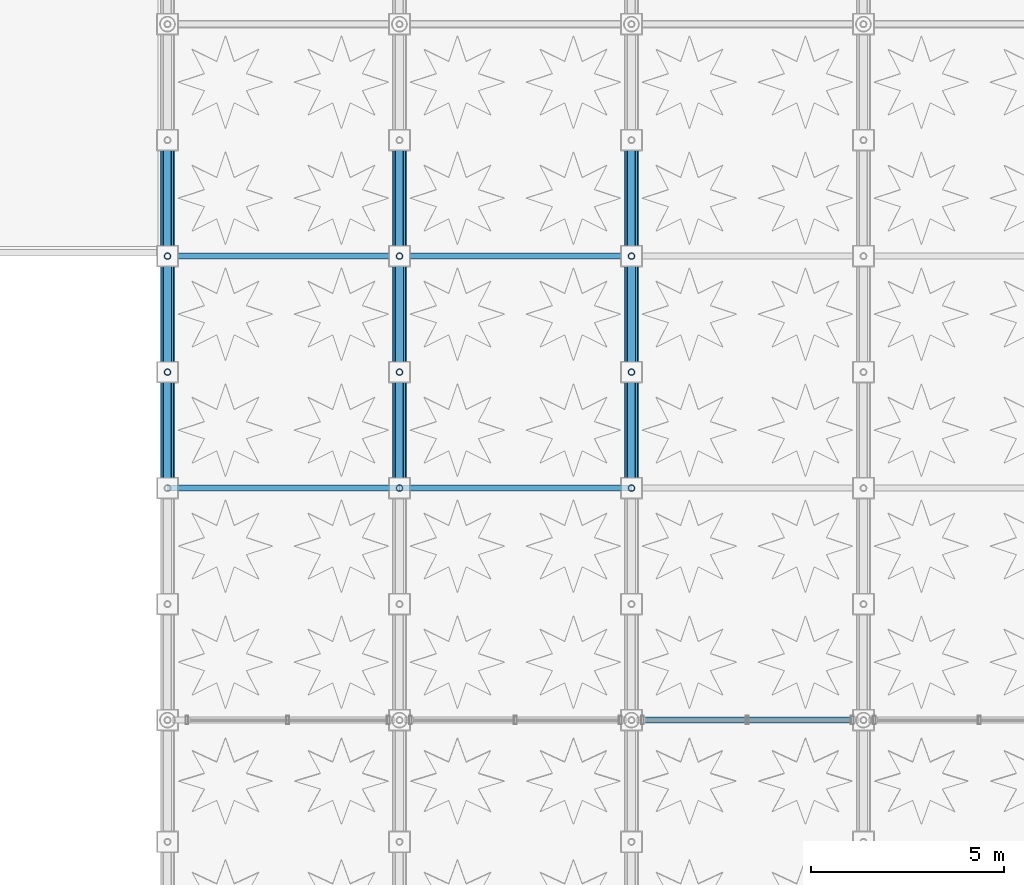
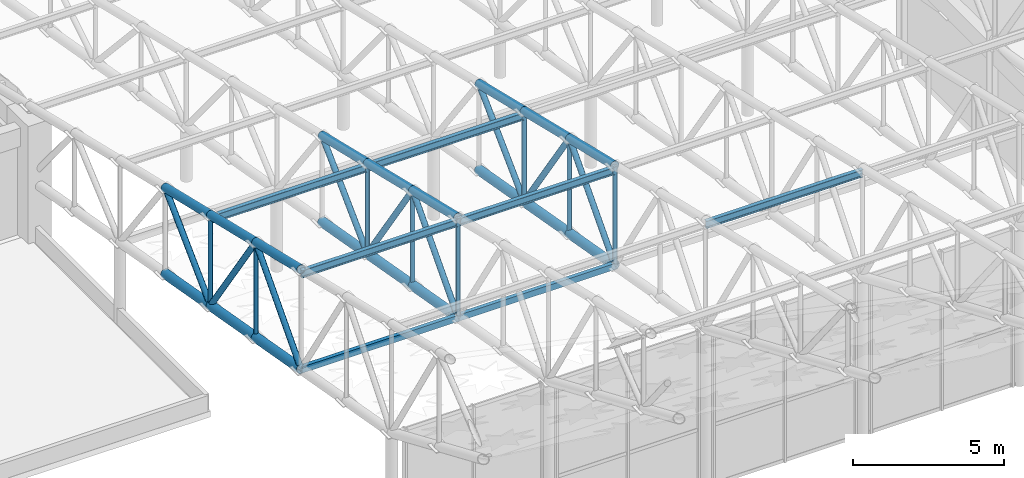
# One storey, part 19 of 123: 37 members, 5 beams.
"""IFC4 building model written with IfcOpenShell, lengths in metres."""

from ifc_helpers import new_model, si_unit, direction, frame, origin, origin_2d, place, context, subcontext, project, spatial, hollow_rectangle, hollow_circle, i_section, extrude, material, material_profile, profile_set, type_object, element, save


model = new_model("IFC4")

# Units and contexts
model_context = context("Model", 3, precision=1e-05, world=origin(), true_north=direction((0.0, 1.0)))
body_context = subcontext(model_context, "Body", "Model", "MODEL_VIEW")
ifc_project = project(units=[si_unit("LENGTHUNIT", "METRE"), si_unit("AREAUNIT", "SQUARE_METRE"), si_unit("VOLUMEUNIT", "CUBIC_METRE"), si_unit("PLANEANGLEUNIT", "RADIAN"), si_unit("MASSUNIT", "GRAM", prefix="KILO"), si_unit("THERMODYNAMICTEMPERATUREUNIT", "KELVIN"), si_unit("POWERUNIT", "WATT")], contexts=[model_context])

# Site, building, storey
site_placement = place(None, origin())
site = spatial("IfcSite", under=ifc_project, at=site_placement, CompositionType="ELEMENT")
building_placement = place(site_placement, origin())
building = spatial("IfcBuilding", under=site, at=building_placement, Name="Phaisarnlok Congress Hotel", CompositionType="ELEMENT")
storey_placement = place(building_placement, frame((0.0, 0.0, 15.0)))
storey = spatial("IfcBuildingStorey", under=building, at=storey_placement, Name="L03", CompositionType="ELEMENT", Elevation=15.0)

# Beams
ifc_material = material(Name="Steel S355", Category="steel")
ifc_material_profile_1 = material_profile(ifc_material, i_section(OverallWidth=0.14990234375, OverallDepth=0.300048828125, WebThickness=0.007080078125, FlangeThickness=0.0107421875, FilletRadius=0.014892578125, at=origin_2d()), Name="IPE 300")
ifc_profile_set_1 = profile_set([ifc_material_profile_1], Name="Steel S355")
beam_type = type_object("IfcBeamType", Name="JS-STL-IPE300", PredefinedType="JOIST", material=ifc_profile_set_1)
for number, where, z_axis, x_axis, name in (
    (1, (66.0, 30.0, 7.766357421875), (1.0, 0.0, 0.0), (0.0, 1.0, 0.0), "South wing roof purlin"),
    (2, (66.0, 24.0, 9.198486328125), (1.0, 0.0, 0.0), (0.0, 1.0, 0.0), "South wing roof purlin"),
    (3, (72.0, 30.0, 7.766357421875), (1.0, 0.0, 0.0), (0.0, 1.0, 0.0), "South wing roof purlin"),
    (4, (72.0, 24.0, 9.198486328125), (1.0, 0.0, 0.0), (0.0, 1.0, 0.0), "South wing roof purlin"),
    (5, (78.0, 18.0, 10.630615234375), (1.0, 0.0, 0.0), (0.0, 1.0, 0.0), "South wing roof purlin"),
):
    element("IfcBeam", number, at=place(storey_placement, frame(where, z_axis=z_axis, x_axis=x_axis)), inside=storey, type_object=beam_type, Name=name, PredefinedType="JOIST", context=body_context, shape_type="SweptSolid", body=[
        extrude(i_section(OverallWidth=0.14990234375, OverallDepth=0.300048828125, WebThickness=0.007080078125, FlangeThickness=0.0107421875, FilletRadius=0.014892578125, at=origin_2d()), origin(), (0.0, 0.0, 1.0), 6.0),
    ])

# Members
ifc_material_profile_2 = material_profile(ifc_material, hollow_circle(Radius=0.084228515625, WallThickness=0.010009765625, at=origin_2d()), Name="CHS 168.3x10")
ifc_profile_set_2 = profile_set([ifc_material_profile_2], Name="Steel S355")
member_type_1 = type_object("IfcMemberType", Name="MEM-BRC-CHS168", PredefinedType="BRACE", material=ifc_profile_set_2)
member_1_placement = place(storey_placement, frame((66.0, 30.0, 4.2666015625), z_axis=(0.0, 0.0, 1.0), x_axis=(1.0, 0.0, 0.0)))
element("IfcMember", 6, at=member_1_placement, inside=storey, type_object=member_type_1, Name="South wing roof truss vertical web", PredefinedType="BRACE", context=body_context, shape_type="SweptSolid", body=[
    extrude(hollow_circle(Radius=0.084228515625, WallThickness=0.010009765625, at=origin_2d()), origin(), (0.0, 0.0, 1.0), 3.661865234375),
])
member_2_placement = place(storey_placement, frame((66.0, 27.0, 4.800048828125), z_axis=(0.0, 0.0, 1.0), x_axis=(1.0, 0.0, 0.0)))
element("IfcMember", 7, at=member_2_placement, inside=storey, type_object=member_type_1, Name="South wing roof truss vertical web", PredefinedType="BRACE", context=body_context, shape_type="SweptSolid", body=[
    extrude(hollow_circle(Radius=0.084228515625, WallThickness=0.010009765625, at=origin_2d()), origin(), (0.0, 0.0, 1.0), 3.844482421875),
])
member_3_placement = place(storey_placement, frame((72.0, 30.0, 4.2666015625), z_axis=(0.0, 0.0, 1.0), x_axis=(1.0, 0.0, 0.0)))
element("IfcMember", 8, at=member_3_placement, inside=storey, type_object=member_type_1, Name="South wing roof truss vertical web", PredefinedType="BRACE", context=body_context, shape_type="SweptSolid", body=[
    extrude(hollow_circle(Radius=0.084228515625, WallThickness=0.010009765625, at=origin_2d()), origin(), (0.0, 0.0, 1.0), 3.661865234375),
])
member_4_placement = place(storey_placement, frame((72.0, 27.0, 4.800048828125), z_axis=(0.0, 0.0, 1.0), x_axis=(1.0, 0.0, 0.0)))
element("IfcMember", 9, at=member_4_placement, inside=storey, type_object=member_type_1, Name="South wing roof truss vertical web", PredefinedType="BRACE", context=body_context, shape_type="SweptSolid", body=[
    extrude(hollow_circle(Radius=0.084228515625, WallThickness=0.010009765625, at=origin_2d()), origin(), (0.0, 0.0, 1.0), 3.844482421875),
])
member_5_placement = place(storey_placement, frame((72.0, 24.0, 5.333251953125), z_axis=(0.0, 0.0, 1.0), x_axis=(1.0, 0.0, 0.0)))
element("IfcMember", 10, at=member_5_placement, inside=storey, type_object=member_type_1, Name="South wing roof truss vertical web", PredefinedType="BRACE", context=body_context, shape_type="SweptSolid", body=[
    extrude(hollow_circle(Radius=0.084228515625, WallThickness=0.010009765625, at=origin_2d()), origin(), (0.0, 0.0, 1.0), 4.02734375),
])
member_6_placement = place(storey_placement, frame((78.0, 30.0, 4.2666015625), z_axis=(0.0, 0.0, 1.0), x_axis=(1.0, 0.0, 0.0)))
element("IfcMember", 11, at=member_6_placement, inside=storey, type_object=member_type_1, Name="South wing roof truss vertical web", PredefinedType="BRACE", context=body_context, shape_type="SweptSolid", body=[
    extrude(hollow_circle(Radius=0.084228515625, WallThickness=0.010009765625, at=origin_2d()), origin(), (0.0, 0.0, 1.0), 3.661865234375),
])
member_7_placement = place(storey_placement, frame((78.0, 27.0, 4.800048828125), z_axis=(0.0, 0.0, 1.0), x_axis=(1.0, 0.0, 0.0)))
element("IfcMember", 12, at=member_7_placement, inside=storey, type_object=member_type_1, Name="South wing roof truss vertical web", PredefinedType="BRACE", context=body_context, shape_type="SweptSolid", body=[
    extrude(hollow_circle(Radius=0.084228515625, WallThickness=0.010009765625, at=origin_2d()), origin(), (0.0, 0.0, 1.0), 3.844482421875),
])
member_8_placement = place(storey_placement, frame((78.0, 24.0, 5.333251953125), z_axis=(0.0, 0.0, 1.0), x_axis=(1.0, 0.0, 0.0)))
element("IfcMember", 13, at=member_8_placement, inside=storey, type_object=member_type_1, Name="South wing roof truss vertical web", PredefinedType="BRACE", context=body_context, shape_type="SweptSolid", body=[
    extrude(hollow_circle(Radius=0.084228515625, WallThickness=0.010009765625, at=origin_2d()), origin(), (0.0, 0.0, 1.0), 4.02734375),
])
ifc_material_profile_3 = material_profile(ifc_material, hollow_circle(Radius=0.109619140625, WallThickness=0.012451171875, at=origin_2d()), Name="CHS 219.1x12.5")
ifc_profile_set_3 = profile_set([ifc_material_profile_3], Name="Steel S355")
member_type_2 = type_object("IfcMemberType", Name="MEM-BRC-CHS219", PredefinedType="BRACE", material=ifc_profile_set_3)
member_9_placement = place(storey_placement, frame((66.0, 30.0, 4.2666015625), z_axis=(0.0, 0.713522801545, 0.700632008743), x_axis=(-1.0, 0.0, 0.0)))
element("IfcMember", 14, at=member_9_placement, inside=storey, type_object=member_type_2, Name="South wing roof truss diagonal brace", PredefinedType="BRACE", context=body_context, shape_type="SweptSolid", body=[
    extrude(hollow_circle(Radius=0.109619140625, WallThickness=0.012451171875, at=origin_2d()), origin(), (0.0, 0.0, 1.0), 4.20458984375),
])
member_10_placement = place(storey_placement, frame((66.0, 30.0, 4.2666015625), z_axis=(0.0, -0.565270860613, 0.824905360718), x_axis=(1.0, 0.0, 0.0)))
element("IfcMember", 15, at=member_10_placement, inside=storey, type_object=member_type_2, Name="South wing roof truss diagonal brace", PredefinedType="BRACE", context=body_context, shape_type="SweptSolid", body=[
    extrude(hollow_circle(Radius=0.109619140625, WallThickness=0.012451171875, at=origin_2d()), origin(), (0.0, 0.0, 1.0), 5.30712890625),
])
member_11_placement = place(storey_placement, frame((66.0, 24.0, 5.333251953125), z_axis=(0.0, 0.671415353237, 0.741081252926), x_axis=(-1.0, 0.0, 0.0)))
element("IfcMember", 16, at=member_11_placement, inside=storey, type_object=member_type_2, Name="South wing roof truss diagonal brace", PredefinedType="BRACE", context=body_context, shape_type="SweptSolid", body=[
    extrude(hollow_circle(Radius=0.109619140625, WallThickness=0.012451171875, at=origin_2d()), origin(), (0.0, 0.0, 1.0), 4.46826171875),
])
member_12_placement = place(storey_placement, frame((72.0, 30.0, 4.2666015625), z_axis=(0.0, 0.713522801545, 0.700632008743), x_axis=(-1.0, 0.0, 0.0)))
element("IfcMember", 17, at=member_12_placement, inside=storey, type_object=member_type_2, Name="South wing roof truss diagonal brace", PredefinedType="BRACE", context=body_context, shape_type="SweptSolid", body=[
    extrude(hollow_circle(Radius=0.109619140625, WallThickness=0.012451171875, at=origin_2d()), origin(), (0.0, 0.0, 1.0), 4.20458984375),
])
member_13_placement = place(storey_placement, frame((72.0, 30.0, 4.2666015625), z_axis=(0.0, -0.565270860613, 0.824905360718), x_axis=(1.0, 0.0, 0.0)))
element("IfcMember", 18, at=member_13_placement, inside=storey, type_object=member_type_2, Name="South wing roof truss diagonal brace", PredefinedType="BRACE", context=body_context, shape_type="SweptSolid", body=[
    extrude(hollow_circle(Radius=0.109619140625, WallThickness=0.012451171875, at=origin_2d()), origin(), (0.0, 0.0, 1.0), 5.30712890625),
])
member_14_placement = place(storey_placement, frame((72.0, 24.0, 5.333251953125), z_axis=(0.0, 0.671415353237, 0.741081252926), x_axis=(-1.0, 0.0, 0.0)))
element("IfcMember", 19, at=member_14_placement, inside=storey, type_object=member_type_2, Name="South wing roof truss diagonal brace", PredefinedType="BRACE", context=body_context, shape_type="SweptSolid", body=[
    extrude(hollow_circle(Radius=0.109619140625, WallThickness=0.012451171875, at=origin_2d()), origin(), (0.0, 0.0, 1.0), 4.46826171875),
])
member_15_placement = place(storey_placement, frame((78.0, 30.0, 4.2666015625), z_axis=(0.0, 0.713522801545, 0.700632008743), x_axis=(-1.0, 0.0, 0.0)))
element("IfcMember", 20, at=member_15_placement, inside=storey, type_object=member_type_2, Name="South wing roof truss diagonal brace", PredefinedType="BRACE", context=body_context, shape_type="SweptSolid", body=[
    extrude(hollow_circle(Radius=0.109619140625, WallThickness=0.012451171875, at=origin_2d()), origin(), (0.0, 0.0, 1.0), 4.20458984375),
])
member_16_placement = place(storey_placement, frame((78.0, 30.0, 4.2666015625), z_axis=(0.0, -0.565270860613, 0.824905360718), x_axis=(1.0, 0.0, 0.0)))
element("IfcMember", 21, at=member_16_placement, inside=storey, type_object=member_type_2, Name="South wing roof truss diagonal brace", PredefinedType="BRACE", context=body_context, shape_type="SweptSolid", body=[
    extrude(hollow_circle(Radius=0.109619140625, WallThickness=0.012451171875, at=origin_2d()), origin(), (0.0, 0.0, 1.0), 5.30712890625),
])
member_17_placement = place(storey_placement, frame((78.0, 24.0, 5.333251953125), z_axis=(0.0, 0.671415353237, 0.741081252926), x_axis=(-1.0, 0.0, 0.0)))
element("IfcMember", 22, at=member_17_placement, inside=storey, type_object=member_type_2, Name="South wing roof truss diagonal brace", PredefinedType="BRACE", context=body_context, shape_type="SweptSolid", body=[
    extrude(hollow_circle(Radius=0.109619140625, WallThickness=0.012451171875, at=origin_2d()), origin(), (0.0, 0.0, 1.0), 4.46826171875),
])
ifc_material_profile_4 = material_profile(ifc_material, hollow_circle(Radius=0.161865234375, WallThickness=0.01611328125, at=origin_2d()), Name="CHS 323.9x16")
ifc_profile_set_4 = profile_set([ifc_material_profile_4], Name="Steel S355")
member_type_3 = type_object("IfcMemberType", Name="MEM-CHD-CHS324", PredefinedType="CHORD", material=ifc_profile_set_4)
for number, where, z_axis, x_axis, name in (
    (23, (66.0, 33.0, 7.21240234375), (0.0, -0.972676115692, 0.232166263617), (1.0, 0.0, 0.0), "South wing roof truss top chord"),
    (24, (66.0, 30.0, 7.928466796875), (0.0, -0.972676115692, 0.232166263617), (1.0, 0.0, 0.0), "South wing roof truss top chord"),
    (25, (66.0, 27.0, 8.64453125), (0.0, -0.972676115692, 0.232166263617), (1.0, 0.0, 0.0), "South wing roof truss top chord"),
    (26, (72.0, 33.0, 7.21240234375), (0.0, -0.972676115692, 0.232166263617), (1.0, 0.0, 0.0), "South wing roof truss top chord"),
    (27, (72.0, 30.0, 7.928466796875), (0.0, -0.972676115692, 0.232166263617), (1.0, 0.0, 0.0), "South wing roof truss top chord"),
    (28, (72.0, 27.0, 8.64453125), (0.0, -0.972676115692, 0.232166263617), (1.0, 0.0, 0.0), "South wing roof truss top chord"),
    (29, (78.0, 33.0, 7.21240234375), (0.0, -0.972676115692, 0.232166263617), (1.0, 0.0, 0.0), "South wing roof truss top chord"),
    (30, (78.0, 30.0, 7.928466796875), (0.0, -0.972676115692, 0.232166263617), (1.0, 0.0, 0.0), "South wing roof truss top chord"),
    (31, (78.0, 27.0, 8.64453125), (0.0, -0.972676115692, 0.232166263617), (1.0, 0.0, 0.0), "South wing roof truss top chord"),
):
    element("IfcMember", number, at=place(storey_placement, frame(where, z_axis=z_axis, x_axis=x_axis)), inside=storey, type_object=member_type_3, Name=name, PredefinedType="CHORD", context=body_context, shape_type="SweptSolid", body=[
        extrude(hollow_circle(Radius=0.161865234375, WallThickness=0.01611328125, at=origin_2d()), origin(), (0.0, 0.0, 1.0), 3.084228515625),
    ])
ifc_material_profile_5 = material_profile(ifc_material, hollow_circle(Radius=0.177734375, WallThickness=0.02001953125, at=origin_2d()), Name="CHS 355.6x20")
ifc_profile_set_5 = profile_set([ifc_material_profile_5], Name="Steel S355")
member_type_4 = type_object("IfcMemberType", Name="MEM-CHD-CHS356", PredefinedType="CHORD", material=ifc_profile_set_5)
for number, where, z_axis, x_axis, name in (
    (32, (66.0, 33.0, 3.7333984375), (0.0, -0.984569871158, 0.174991910694), (1.0, 0.0, 0.0), "South wing roof truss bottom chord"),
    (33, (66.0, 30.0, 4.2666015625), (0.0, -0.984556063496, 0.175069579976), (1.0, 0.0, 0.0), "South wing roof truss bottom chord"),
    (34, (66.0, 27.0, 4.800048828125), (0.0, -0.984569871158, 0.174991910694), (1.0, 0.0, 0.0), "South wing roof truss bottom chord"),
    (35, (72.0, 33.0, 3.7333984375), (0.0, -0.984569871158, 0.174991910694), (1.0, 0.0, 0.0), "South wing roof truss bottom chord"),
    (36, (72.0, 30.0, 4.2666015625), (0.0, -0.984556063496, 0.175069579976), (1.0, 0.0, 0.0), "South wing roof truss bottom chord"),
    (37, (72.0, 27.0, 4.800048828125), (0.0, -0.984569871158, 0.174991910694), (1.0, 0.0, 0.0), "South wing roof truss bottom chord"),
    (38, (78.0, 33.0, 3.7333984375), (0.0, -0.984569871158, 0.174991910694), (1.0, 0.0, 0.0), "South wing roof truss bottom chord"),
    (39, (78.0, 30.0, 4.2666015625), (0.0, -0.984556063496, 0.175069579976), (1.0, 0.0, 0.0), "South wing roof truss bottom chord"),
    (40, (78.0, 27.0, 4.800048828125), (0.0, -0.984569871158, 0.174991910694), (1.0, 0.0, 0.0), "South wing roof truss bottom chord"),
):
    element("IfcMember", number, at=place(storey_placement, frame(where, z_axis=z_axis, x_axis=x_axis)), inside=storey, type_object=member_type_4, Name=name, PredefinedType="CHORD", context=body_context, shape_type="SweptSolid", body=[
        extrude(hollow_circle(Radius=0.177734375, WallThickness=0.02001953125, at=origin_2d()), origin(), (0.0, 0.0, 1.0), 3.047119140625),
    ])
ifc_material_profile_6 = material_profile(ifc_material, hollow_rectangle(XDim=0.14990234375, YDim=0.25, WallThickness=0.010009765625, at=origin_2d()), Name="RHS 250x150x10")
ifc_profile_set_6 = profile_set([ifc_material_profile_6], Name="Steel S355")
member_type_5 = type_object("IfcMemberType", Name="MEM-STR-RHS250", PredefinedType="STRUT", material=ifc_profile_set_6)
for number, where, z_axis, x_axis, name in (
    (41, (66.0, 24.0, 5.333251953125), (1.0, 0.0, 0.0), (0.0, 1.0, 0.0), "Wing truss bottom-chord lateral strut ST-M1"),
    (42, (72.0, 24.0, 5.333251953125), (1.0, 0.0, 0.0), (0.0, 1.0, 0.0), "Wing truss bottom-chord lateral strut ST-M1"),
):
    element("IfcMember", number, at=place(storey_placement, frame(where, z_axis=z_axis, x_axis=x_axis)), inside=storey, type_object=member_type_5, Name=name, PredefinedType="STRUT", context=body_context, shape_type="SweptSolid", body=[
        extrude(hollow_rectangle(XDim=0.14990234375, YDim=0.25, WallThickness=0.010009765625, at=origin_2d()), origin(), (0.0, 0.0, 1.0), 6.0),
    ])

save(model, "model.ifc")
